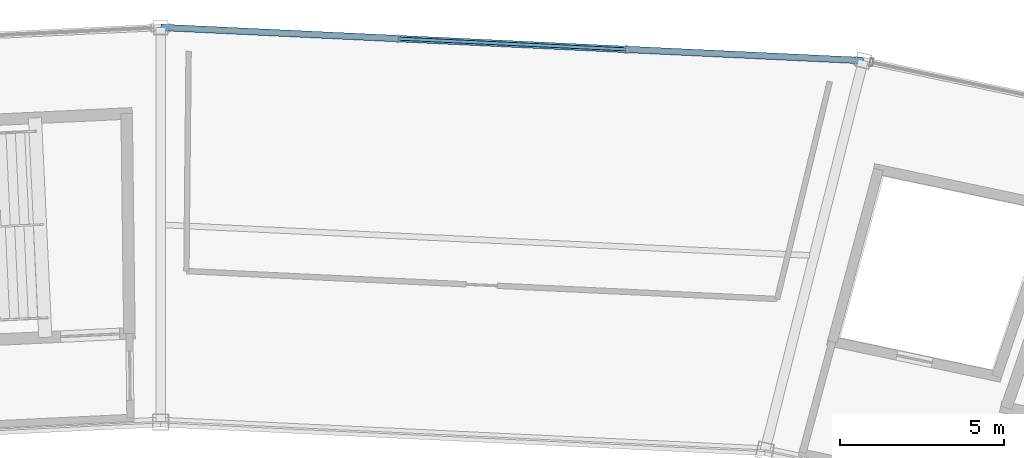
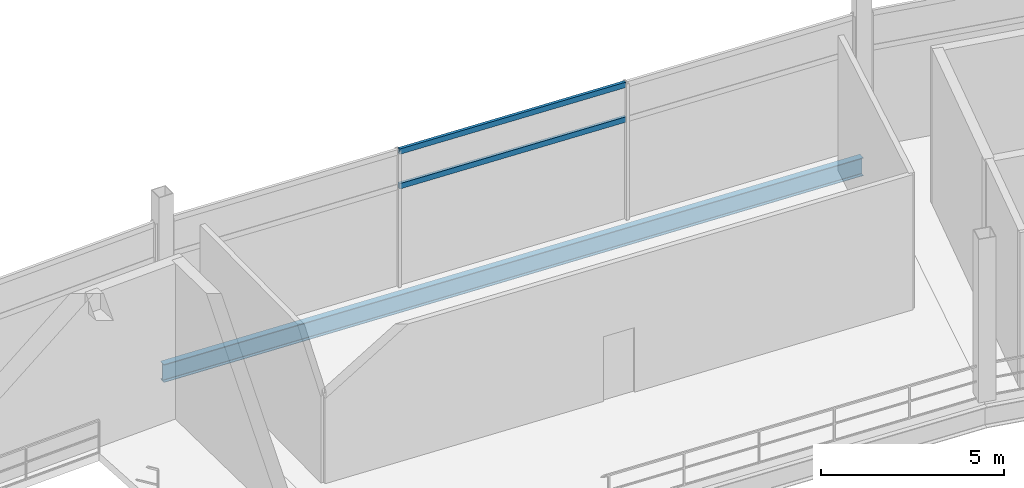
# One storey, part 61 of 103: 2 members, 1 beam, 1 element without a shape of its own.
"""IFC4 building model written with IfcOpenShell, lengths in metres."""

import ifcopenshell
import ifcopenshell.guid

model = None  # the IFC model being written
_history = None  # IfcOwnerHistory: only IFC2X3 demands one
_inside = {}  # id of a spatial element -> (the spatial element, [elements in it])
_under = {}  # id of a project, library or spatial element -> (it, [spatial elements below it])
_declared = {}  # id of a project -> (the project, [libraries it declares])
_typed = {}  # id of a type object -> (the type object, [elements of that type])
_made_of = {}  # id of a material, layer set ... -> (it, [elements and type objects made of it])


def new_model(schema):
    """Start an empty IFC model of exactly this schema.

    Asked for "IFC4X3", IfcOpenShell would pick the latest addendum, in which some entities
    have other attributes; the version numbers below select the first issue.
    IFC2X3 requires an IfcOwnerHistory on every rooted entity: one is made here for all.
    """
    global model, _history
    if schema == "IFC4X3":
        model = ifcopenshell.file(schema_version=(4, 3, 0, 0))
    else:
        model = ifcopenshell.file(schema=schema)
    _inside.clear()
    _under.clear()
    _declared.clear()
    _typed.clear()
    _made_of.clear()
    _history = None
    if model.schema == "IFC2X3":
        org = make("IfcOrganization", Name="unknown")
        user = make(
            "IfcPersonAndOrganization",
            ThePerson=make("IfcPerson", FamilyName="unknown"),
            TheOrganization=org,
        )
        app = make(
            "IfcApplication",
            ApplicationDeveloper=org,
            Version="unknown",
            ApplicationFullName="unknown",
            ApplicationIdentifier="unknown",
        )
        _history = make(
            "IfcOwnerHistory",
            OwningUser=user,
            OwningApplication=app,
            ChangeAction="ADDED",
            CreationDate=0,
        )
    return model


def make(cls, **values):
    """One entity of the class cls with the attributes given. An attribute that is None is left unset."""
    return model.create_entity(
        cls, **{name: value for name, value in values.items() if value is not None}
    )


def rooted(cls, **values):
    """An entity with a GlobalId (a new one), such as an element, a storey or a relation."""
    return make(cls, GlobalId=ifcopenshell.guid.new(), OwnerHistory=_history, **values)


def si_unit(unit_type, name, prefix=None):
    """IfcSIUnit, for example si_unit("LENGTHUNIT", "METRE", prefix="MILLI")."""
    return make("IfcSIUnit", UnitType=unit_type, Prefix=prefix, Name=name)


def assignment(units):
    """IfcUnitAssignment: the units of a project."""
    return None if units is None else make("IfcUnitAssignment", Units=units)


def point(xyz):
    """IfcCartesianPoint."""
    return None if xyz is None else make("IfcCartesianPoint", Coordinates=xyz)


def direction(xyz):
    """IfcDirection."""
    return None if xyz is None else make("IfcDirection", DirectionRatios=xyz)


def frame(location, z_axis=None, x_axis=None):
    """IfcAxis2Placement3D, a coordinate frame: its origin and axes. An axis left out is left unset."""
    return make(
        "IfcAxis2Placement3D",
        Location=point(location),
        Axis=direction(z_axis),
        RefDirection=direction(x_axis),
    )


def frame_2d(location, x_axis=None):
    """IfcAxis2Placement2D, a coordinate frame in the plane: its origin and x axis."""
    return make(
        "IfcAxis2Placement2D", Location=point(location), RefDirection=direction(x_axis)
    )


def origin():
    """The frame at (0, 0, 0) with its axes left unset."""
    return frame((0.0, 0.0, 0.0))


def origin_2d():
    """The frame at (0, 0) in the plane with its x axis left unset."""
    return frame_2d((0.0, 0.0))


def place(relative_to, where):
    """IfcLocalPlacement: puts the frame where relative to a parent placement (None: the world)."""
    return make(
        "IfcLocalPlacement", PlacementRelTo=relative_to, RelativePlacement=where
    )


def context(
    kind, dimensions, precision=None, world=None, true_north=None, identifier=None
):
    """IfcGeometricRepresentationContext, for example the 3D "Model" context."""
    return make(
        "IfcGeometricRepresentationContext",
        ContextIdentifier=identifier,
        ContextType=kind,
        CoordinateSpaceDimension=dimensions,
        Precision=precision,
        WorldCoordinateSystem=world,
        TrueNorth=true_north,
    )


def subcontext(parent, identifier, kind, view, scale=None):
    """IfcGeometricRepresentationSubContext, for example "Body" below "Model"."""
    return make(
        "IfcGeometricRepresentationSubContext",
        ContextIdentifier=identifier,
        ContextType=kind,
        ParentContext=parent,
        TargetScale=scale,
        TargetView=view,
    )


def project(units=None, contexts=None):
    """IfcProject with its units and contexts."""
    return rooted(
        "IfcProject",
        Name="project",
        RepresentationContexts=contexts,
        UnitsInContext=assignment(units),
    )


def spatial(cls, under=None, at=None, **own):
    """A site, building, storey or space (cls), placed at a placement, below another one or the project."""
    s = rooted(cls, ObjectPlacement=at, **own)
    if under is not None:
        _under.setdefault(under.id(), (under, []))[1].append(s)
    return s


def profile(cls, at=None, kind="AREA", **sizes):
    """A parametric profile (cls). Its sizes go by their IFC names, for example OverallWidth=200.0."""
    return make(cls, ProfileType=kind, Position=at, **sizes)


def hollow_rectangle(**sizes):
    """IfcRectangleHollowProfileDef."""
    return profile("IfcRectangleHollowProfileDef", **sizes)


def i_section(**sizes):
    """IfcIShapeProfileDef."""
    return profile("IfcIShapeProfileDef", **sizes)


def extrude(swept, where, along, depth):
    """IfcExtrudedAreaSolid: the profile swept, set in the frame where, extruded along a direction by depth."""
    return make(
        "IfcExtrudedAreaSolid",
        SweptArea=swept,
        Position=where,
        ExtrudedDirection=direction(along),
        Depth=depth,
    )


def shape(context_of_items, identifier, shape_type, items):
    """IfcShapeRepresentation: the items that make up one representation, for example the "Body"."""
    return make(
        "IfcShapeRepresentation",
        ContextOfItems=context_of_items,
        RepresentationIdentifier=identifier,
        RepresentationType=shape_type,
        Items=items,
    )


def material(Name=None, Category=None):
    """IfcMaterial."""
    return make("IfcMaterial", Name=Name, Category=Category)


def layer(
    of_material, thickness, ventilated=None, Name=None, Category=None, Priority=None
):
    """IfcMaterialLayer: one layer of a wall or slab, of a material (None: an air gap)."""
    return make(
        "IfcMaterialLayer",
        Material=of_material,
        LayerThickness=thickness,
        IsVentilated=ventilated,
        Name=Name,
        Category=Category,
        Priority=Priority,
    )


def layer_set(layers, Name=None):
    """IfcMaterialLayerSet."""
    return make("IfcMaterialLayerSet", MaterialLayers=layers, LayerSetName=Name)


def material_profile(
    of_material, cross_section, Name=None, Category=None, Priority=None
):
    """IfcMaterialProfile: a cross section and its material."""
    return make(
        "IfcMaterialProfile",
        Name=Name,
        Material=of_material,
        Profile=cross_section,
        Priority=Priority,
        Category=Category,
    )


def profile_set(profiles, Name=None, composite=None):
    """IfcMaterialProfileSet."""
    return make(
        "IfcMaterialProfileSet",
        Name=Name,
        MaterialProfiles=profiles,
        CompositeProfile=composite,
    )


def made_of(thing, what):
    """Note that an element or type object is made of a material, layer set ...; save() writes the relation."""
    if what is not None:
        _made_of.setdefault(what.id(), (what, []))[1].append(thing)
    return thing


def type_object(cls, material=None, **own):
    """A type object (cls), such as IfcWallType, which elements share."""
    return made_of(rooted(cls, **own), material)


def element(
    cls,
    number,
    at=None,
    inside=None,
    cuts=None,
    type_object=None,
    material=None,
    context=None,
    identifier="Body",
    shape_type=None,
    held_by="IfcProductDefinitionShape",
    body=None,
    shapes=None,
    **own,
):
    """One element of the class cls, such as IfcWall. Its Tag is "e" and its number.

    at: its placement. inside: the storey or other place that contains it. cuts: it is an
    opening in that element (IfcRelVoidsElement). A single representation is given by context,
    identifier, shape_type and body (its items); several are given by shapes. held_by: the class
    of the entity that holds the representations. save() writes the other relations.
    """
    e = rooted(cls, Tag="e%d" % number, ObjectPlacement=at, **own)
    if body is not None:
        shapes = [shape(context, identifier, shape_type, body)]
    if shapes is not None:
        e.Representation = make(held_by, Representations=shapes)
    if inside is not None:
        _inside.setdefault(inside.id(), (inside, []))[1].append(e)
    if cuts is not None:
        rooted(
            "IfcRelVoidsElement", RelatingBuildingElement=cuts, RelatedOpeningElement=e
        )
    if type_object is not None:
        _typed.setdefault(type_object.id(), (type_object, []))[1].append(e)
    return made_of(e, material)


def aggregate(whole, parts):
    """IfcRelAggregates: a whole, such as a stair, and the parts it consists of."""
    return rooted("IfcRelAggregates", RelatingObject=whole, RelatedObjects=parts)


def save(model, path):
    """Write the relations noted so far, then the file.

    IfcRelAggregates (storeys below a building ...), IfcRelContainedInSpatialStructure (elements
    in a storey), IfcRelDefinesByType, IfcRelAssociatesMaterial and IfcRelDeclares: one each for
    every whole, place, type object, material and project.
    """
    for whole, parts in _under.values():
        aggregate(whole, parts)
    for where, things in _inside.values():
        rooted(
            "IfcRelContainedInSpatialStructure",
            RelatedElements=things,
            RelatingStructure=where,
        )
    for kind, things in _typed.values():
        rooted("IfcRelDefinesByType", RelatedObjects=things, RelatingType=kind)
    for what, things in _made_of.values():
        rooted("IfcRelAssociatesMaterial", RelatedObjects=things, RelatingMaterial=what)
    for by, libraries in _declared.values():
        rooted("IfcRelDeclares", RelatingContext=by, RelatedDefinitions=libraries)
    model.write(path)


model = new_model("IFC4")

# Units and contexts
model_context = context("Model", 3, precision=1e-05, world=origin(), true_north=direction((0.0, 1.0)))
body_context = subcontext(model_context, "Body", "Model", "MODEL_VIEW")
ifc_project = project(units=[si_unit("LENGTHUNIT", "METRE"), si_unit("AREAUNIT", "SQUARE_METRE"), si_unit("VOLUMEUNIT", "CUBIC_METRE"), si_unit("PLANEANGLEUNIT", "RADIAN"), si_unit("MASSUNIT", "GRAM", prefix="KILO")], contexts=[model_context])

# Site, building, storey
site_placement = place(None, origin())
site = spatial("IfcSite", under=ifc_project, at=site_placement, CompositionType="ELEMENT")
building_placement = place(site_placement, origin())
building = spatial("IfcBuilding", under=site, at=building_placement, Name="Kazemori Nagisa Stadium", CompositionType="ELEMENT")
storey_placement = place(building_placement, frame((0.0, 0.0, 25.840087890625)))
storey = spatial("IfcBuildingStorey", under=building, at=storey_placement, Name="L05", CompositionType="ELEMENT", Elevation=25.840087890625)

# Beam
ifc_material_1 = material(Name="Steel SN490B", Category="steel")
ifc_material_profile_1 = material_profile(ifc_material_1, i_section(OverallWidth=0.199951171875, OverallDepth=0.60009765625, WebThickness=0.010986328125, FlangeThickness=0.01708984375, FilletRadius=0.012939453125, at=origin_2d()), Name="H-600x200x11x17")
ifc_profile_set_1 = profile_set([ifc_material_profile_1], Name="Steel SN490B")
beam_type = type_object("IfcBeamType", Name="Beam_BS-H600", PredefinedType="SPANDREL", material=ifc_profile_set_1)
beam_placement = place(storey_placement, frame((144.427734375, 186.98681640625, -0.56005859375), z_axis=(-0.998883994571, 0.047230979144, 0.0), x_axis=(-0.047230979144, -0.998883994571, 0.0)))
element("IfcBeam", 1, at=beam_placement, inside=storey, type_object=beam_type, Name="Ring girder BS-H600 L05 R3-07", PredefinedType="SPANDREL", context=body_context, shape_type="SweptSolid", body=[
    extrude(i_section(OverallWidth=0.199951171875, OverallDepth=0.60009765625, WebThickness=0.010986328125, FlangeThickness=0.01708984375, FilletRadius=0.012939453125, at=origin_2d()), origin(), (0.0, 0.0, 1.0), 21.45166015625),
])

# Curtain wall, members
ifc_material_2 = material(Name="Anodised aluminium 6063-T5", Category="aluminium")
ifc_layer = layer(ifc_material_2, 0.239990234375, Name="Anodised aluminium 6063-T5", Category="aluminium")
ifc_layer_set = layer_set([ifc_layer], Name="Anodised aluminium 6063-T5")
curtain_wall_type = type_object("IfcCurtainWallType", Name="CW_L05R3_105", PredefinedType="USERDEFINED", material=ifc_layer_set)
curtain_wall_placement = place(storey_placement, origin())
curtain_wall = element("IfcCurtainWall", 2, at=curtain_wall_placement, inside=storey, type_object=curtain_wall_type, Name="Unitised curtain wall CW-L05R3-105 L05", ObjectType="UNITISED CURTAIN WALL", PredefinedType="USERDEFINED")
ifc_material_3 = material(Name="Aluminium 6063-T5 anodised", Category="aluminium")
ifc_material_profile_2 = material_profile(ifc_material_3, hollow_rectangle(XDim=0.090087890625, YDim=0.179931640625, WallThickness=0.0048828125, at=origin_2d()), Name="ALU-TRAN-90x180x5")
ifc_profile_set_2 = profile_set([ifc_material_profile_2], Name="Aluminium 6063-T5 anodised")
member_type = type_object("IfcMemberType", Name="Transom_T03", PredefinedType="USERDEFINED", material=ifc_profile_set_2)
member_1_placement = place(storey_placement, frame((137.18017578125, 187.32958984375, 3.306884765625), z_axis=(-0.998885105073, 0.047207487358, 0.0), x_axis=(-0.047207487358, -0.998885105073, 0.0)))
member_1 = element("IfcMember", 3, at=member_1_placement, type_object=member_type, Name="Curtain wall transom CW-L05R3-105-T2-mid", ObjectType="TRANSOM", PredefinedType="USERDEFINED", context=body_context, shape_type="SweptSolid", body=[
    extrude(hollow_rectangle(XDim=0.090087890625, YDim=0.179931640625, WallThickness=0.0048828125, at=origin_2d()), origin(), (0.0, 0.0, 1.0), 6.9404296875),
])
member_2_placement = place(storey_placement, frame((137.18017578125, 187.32958984375, 4.4599609375), z_axis=(-0.998885105073, 0.047207487358, 0.0), x_axis=(-0.047207487358, -0.998885105073, 0.0)))
member_2 = element("IfcMember", 4, at=member_2_placement, type_object=member_type, Name="Curtain wall transom CW-L05R3-105-T2-head", ObjectType="TRANSOM", PredefinedType="USERDEFINED", context=body_context, shape_type="SweptSolid", body=[
    extrude(hollow_rectangle(XDim=0.090087890625, YDim=0.179931640625, WallThickness=0.0048828125, at=origin_2d()), origin(), (0.0, 0.0, 1.0), 6.9404296875),
])
aggregate(curtain_wall, [member_1, member_2])

save(model, "model.ifc")
